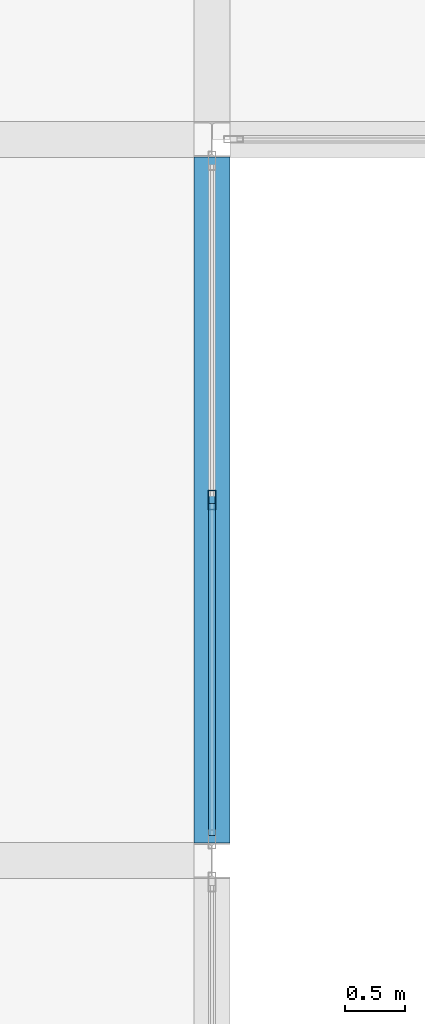
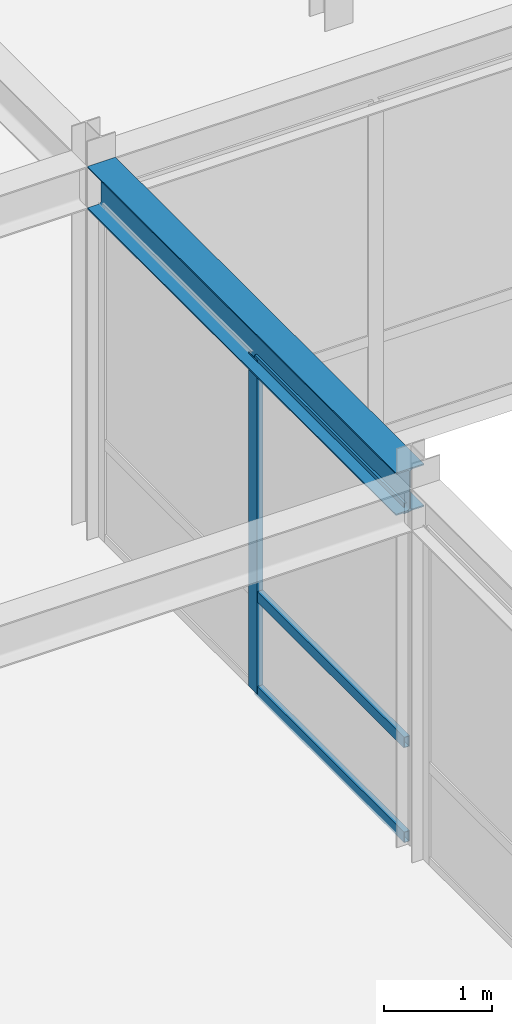
# One storey, part 43 of 108: 4 members, 1 beam, 1 element without a shape of its own.
"""IFC4 building model written with IfcOpenShell, lengths in metres."""

from ifc_helpers import new_model, si_unit, direction, frame, origin, origin_2d, place, context, subcontext, project, spatial, hollow_rectangle, i_section, extrude, material, layer, layer_set, material_profile, profile_set, type_object, element, aggregate, save


model = new_model("IFC4")

# Units and contexts
model_context = context("Model", 3, precision=1e-05, world=origin(), true_north=direction((0.0, 1.0)))
body_context = subcontext(model_context, "Body", "Model", "MODEL_VIEW")
ifc_project = project(units=[si_unit("LENGTHUNIT", "METRE"), si_unit("AREAUNIT", "SQUARE_METRE"), si_unit("VOLUMEUNIT", "CUBIC_METRE"), si_unit("PLANEANGLEUNIT", "RADIAN"), si_unit("MASSUNIT", "GRAM", prefix="KILO")], contexts=[model_context])

# Site, building, storey
site_placement = place(None, origin())
site = spatial("IfcSite", under=ifc_project, at=site_placement, CompositionType="ELEMENT")
building_placement = place(site_placement, origin())
building = spatial("IfcBuilding", under=site, at=building_placement, Name="Zlatovratsky Civic Hall", CompositionType="ELEMENT")
storey_placement = place(building_placement, frame((0.0, 0.0, 12.0)))
storey = spatial("IfcBuildingStorey", under=building, at=storey_placement, Name="L03", CompositionType="ELEMENT", Elevation=12.0)

# Beam
ifc_material_1 = material(Name="Steel S355", Category="steel")
ifc_material_profile_1 = material_profile(ifc_material_1, i_section(OverallWidth=0.300048828125, OverallDepth=0.48193359375, WebThickness=0.010986328125, FlangeThickness=0.014892578125, FilletRadius=0.02392578125, at=origin_2d()), Name="50Sh1")
ifc_profile_set_1 = profile_set([ifc_material_profile_1], Name="Steel S355")
beam_type = type_object("IfcBeamType", Name="Beam_LibraryGirder_50Sh1", PredefinedType="BEAM", material=ifc_profile_set_1)
beam_placement = place(storey_placement, frame((18.0, 60.14794921875, 3.97900390625), z_axis=(0.0, 1.0, 0.0), x_axis=(-1.0, 0.0, 0.0)))
element("IfcBeam", 1, at=beam_placement, inside=storey, type_object=beam_type, Name="BM-2835", PredefinedType="BEAM", context=body_context, shape_type="SweptSolid", body=[
    extrude(i_section(OverallWidth=0.300048828125, OverallDepth=0.48193359375, WebThickness=0.010986328125, FlangeThickness=0.014892578125, FilletRadius=0.02392578125, at=origin_2d()), origin(), (0.0, 0.0, 1.0), 5.7041015625),
])

# Curtain wall, members
ifc_material_2 = material(Name="Anodised bronze aluminium", Category="aluminium")
ifc_layer = layer(ifc_material_2, 0.159912109375)
ifc_layer_set = layer_set([ifc_layer], Name="Anodised bronze aluminium")
curtain_wall_type = type_object("IfcCurtainWallType", Name="CurtainWall_Bronze_5700x3770_12", PredefinedType="NOTDEFINED", material=ifc_layer_set)
curtain_wall_placement = place(storey_placement, origin())
curtain_wall = element("IfcCurtainWall", 2, at=curtain_wall_placement, inside=storey, type_object=curtain_wall_type, Name="CW-062", PredefinedType="NOTDEFINED")
ifc_material_profile_2 = material_profile(ifc_material_2, hollow_rectangle(XDim=0.06005859375, YDim=0.159912109375, WallThickness=0.00390625, at=origin_2d()), Name="ALU 60x160x4")
ifc_profile_set_2 = profile_set([ifc_material_profile_2], Name="Anodised bronze aluminium")
member_type_1 = type_object("IfcMemberType", Name="CW_Mullion_60x160", PredefinedType="MULLION", material=ifc_profile_set_2)
member_1_placement = place(storey_placement, frame((18.0, 63.0, 0.0), z_axis=(0.0, 0.0, 1.0), x_axis=(-1.0, 0.0, 0.0)))
member_1 = element("IfcMember", 3, at=member_1_placement, type_object=member_type_1, Name="CW-12 mullion 2", PredefinedType="MULLION", context=body_context, shape_type="SweptSolid", body=[
    extrude(hollow_rectangle(XDim=0.06005859375, YDim=0.159912109375, WallThickness=0.00390625, at=origin_2d()), origin(), (0.0, 0.0, 1.0), 3.77001953125),
])
ifc_material_profile_3 = material_profile(ifc_material_2, hollow_rectangle(XDim=0.06005859375, YDim=0.1201171875, WallThickness=0.00390625, at=origin_2d()), Name="ALU 60x120x4")
ifc_profile_set_3 = profile_set([ifc_material_profile_3], Name="Anodised bronze aluminium")
member_type_2 = type_object("IfcMemberType", Name="CW_Transom_60x120", PredefinedType="USERDEFINED", material=ifc_profile_set_3)
member_2_placement = place(storey_placement, frame((18.0, 60.2080078125, 0.030029296875), z_axis=(0.0, 1.0, 0.0), x_axis=(-1.0, 0.0, 0.0)))
member_2 = element("IfcMember", 4, at=member_2_placement, type_object=member_type_2, Name="CW-12 transom 1.1", ObjectType="TRANSOM", PredefinedType="USERDEFINED", context=body_context, shape_type="SweptSolid", body=[
    extrude(hollow_rectangle(XDim=0.06005859375, YDim=0.1201171875, WallThickness=0.00390625, at=origin_2d()), origin(), (0.0, 0.0, 1.0), 2.761962890625),
])
member_3_placement = place(storey_placement, frame((18.0, 60.2080078125, 1.10009765625), z_axis=(0.0, 1.0, 0.0), x_axis=(-1.0, 0.0, 0.0)))
member_3 = element("IfcMember", 5, at=member_3_placement, type_object=member_type_2, Name="CW-12 transom 1.2", ObjectType="TRANSOM", PredefinedType="USERDEFINED", context=body_context, shape_type="SweptSolid", body=[
    extrude(hollow_rectangle(XDim=0.06005859375, YDim=0.1201171875, WallThickness=0.00390625, at=origin_2d()), origin(), (0.0, 0.0, 1.0), 2.761962890625),
])
member_4_placement = place(storey_placement, frame((18.0, 60.2080078125, 3.739990234375), z_axis=(0.0, 1.0, 0.0), x_axis=(-1.0, 0.0, 0.0)))
member_4 = element("IfcMember", 6, at=member_4_placement, type_object=member_type_2, Name="CW-12 transom 1.3", ObjectType="TRANSOM", PredefinedType="USERDEFINED", context=body_context, shape_type="SweptSolid", body=[
    extrude(hollow_rectangle(XDim=0.06005859375, YDim=0.1201171875, WallThickness=0.00390625, at=origin_2d()), origin(), (0.0, 0.0, 1.0), 2.761962890625),
])
aggregate(curtain_wall, [member_1, member_2, member_3, member_4])

save(model, "model.ifc")
